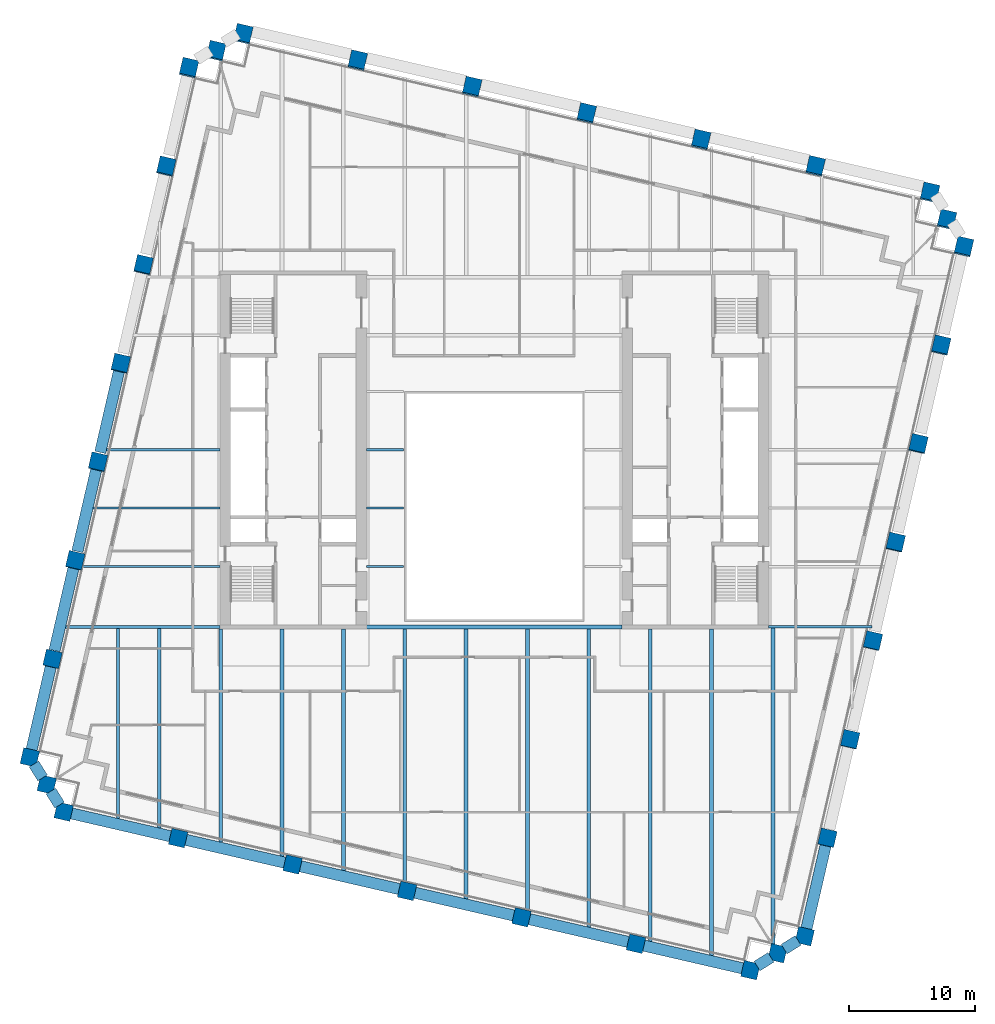
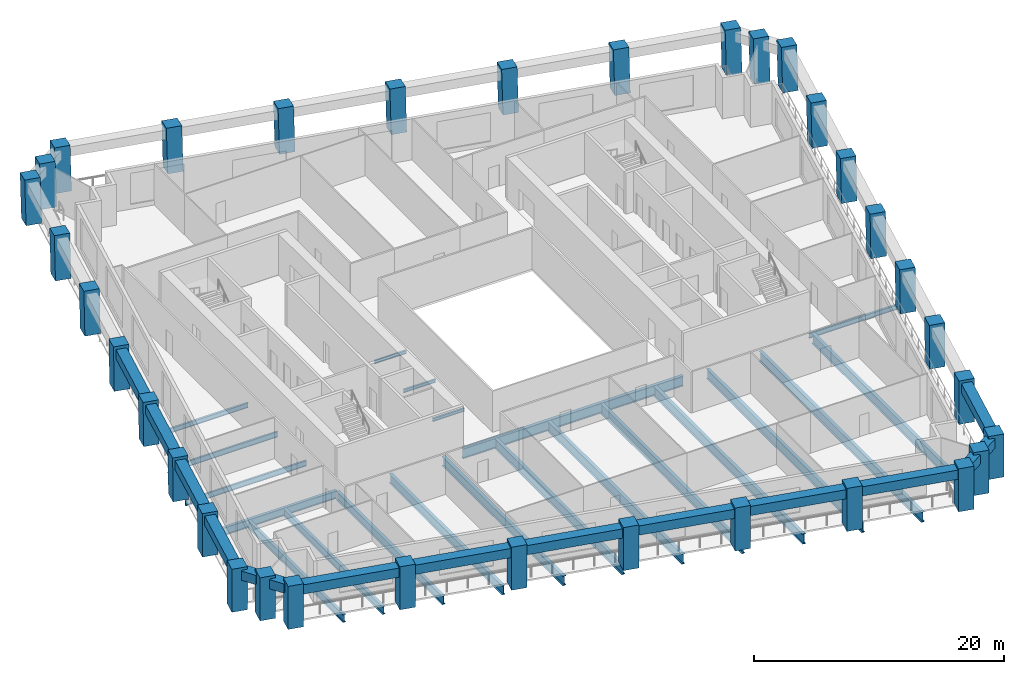
# One storey, part 1 of 10: 36 beams, 34 columns.
"""IFC4 building model written with IfcOpenShell, lengths in metres."""

from ifc_helpers import new_model, si_unit, direction, frame, origin, origin_2d, place, context, subcontext, project, spatial, rectangle, i_section, extrude, material, material_profile, profile_set, type_object, element, save


model = new_model("IFC4")

# Units and contexts
model_context = context("Model", 3, precision=1e-05, world=origin(), true_north=direction((0.0, 1.0)))
body_context = subcontext(model_context, "Body", "Model", "MODEL_VIEW")
ifc_project = project(units=[si_unit("LENGTHUNIT", "METRE"), si_unit("AREAUNIT", "SQUARE_METRE"), si_unit("VOLUMEUNIT", "CUBIC_METRE"), si_unit("PLANEANGLEUNIT", "RADIAN"), si_unit("MASSUNIT", "GRAM", prefix="KILO")], contexts=[model_context])

# Site, building, storey
site_placement = place(None, origin())
site = spatial("IfcSite", under=ifc_project, at=site_placement, CompositionType="ELEMENT")
building_placement = place(site_placement, origin())
building = spatial("IfcBuilding", under=site, at=building_placement, Name="Ogive Exchange Tower", CompositionType="ELEMENT")
storey_placement = place(building_placement, frame((0.0, 0.0, 118.199951171875)))
storey = spatial("IfcBuildingStorey", under=building, at=storey_placement, Name="L25", CompositionType="ELEMENT", Elevation=118.199951171875)

# Columns
ifc_material_1 = material(Name="Precast concrete C70/85 (limestone faced)", Category="masonry")
ifc_material_profile_1 = material_profile(ifc_material_1, rectangle(XDim=1.300048828125, YDim=1.300048828125, at=origin_2d()), Name="1300 x 1300")
ifc_profile_set_1 = profile_set([ifc_material_profile_1], Name="Precast concrete C70/85 (limestone faced)")
column_type = type_object("IfcColumnType", Name="Precast exoskeleton leg 1300 x 1300 C70/85", PredefinedType="COLUMN", material=ifc_profile_set_1)
for number, where, z_axis, x_axis, name in (
    (1, (-34.281982421875, -17.298095703125, 0.0), (0.0, 0.0, 1.0), (0.974370064785, -0.224951054344, 0.0), "Exoskeleton leg 1"),
    (2, (-25.171630859375, -19.401611328125, 0.0), (0.0, 0.0, 1.0), (0.974370064785, -0.224951054344, 0.0), "Exoskeleton leg 2"),
    (3, (-16.061279296875, -21.504638671875, 0.0), (0.0, 0.0, 1.0), (0.974370064785, -0.224951054344, 0.0), "Exoskeleton leg 3"),
    (4, (-6.950927734375, -23.60791015625, 0.0), (0.0, 0.0, 1.0), (0.974370064785, -0.224951054344, 0.0), "Exoskeleton leg 4"),
    (5, (2.159423828125, -25.711181640625, 0.0), (0.0, 0.0, 1.0), (0.974370064785, -0.224951054344, 0.0), "Exoskeleton leg 5"),
    (6, (11.269775390625, -27.814697265625, 0.0), (0.0, 0.0, 1.0), (0.974370064785, -0.224951054344, 0.0), "Exoskeleton leg 6"),
    (7, (20.380126953125, -29.91796875, 0.0), (0.0, 0.0, 1.0), (0.974370064785, -0.224951054344, 0.0), "Exoskeleton leg 7"),
    (8, (24.697509765625, -27.219970703125, 0.0), (0.0, 0.0, 1.0), (0.974370064785, -0.224951054344, 0.0), "Exoskeleton leg 8"),
):
    element("IfcColumn", number, at=place(storey_placement, frame(where, z_axis=z_axis, x_axis=x_axis)), inside=storey, type_object=column_type, Name=name, PredefinedType="COLUMN", context=body_context, shape_type="SweptSolid", body=[
        extrude(rectangle(XDim=1.300048828125, YDim=1.300048828125, at=origin_2d()), origin(), (0.0, 0.0, 1.0), 4.199951171875),
    ])
column_1_placement = place(storey_placement, frame((26.506591796875, -19.384521484375, 0.0), z_axis=(0.002906224189, 0.012671137464, 0.999915494498), x_axis=(-0.974691740237, 0.22355315143, 0.0)))
element("IfcColumn", 9, at=column_1_placement, inside=storey, type_object=column_type, Name="Exoskeleton leg 9", PredefinedType="COLUMN", context=body_context, shape_type="SweptSolid", body=[
    extrude(rectangle(XDim=1.300048828125, YDim=1.300048828125, at=origin_2d()), origin(), (0.0, 0.0, 1.0), 4.2001953125),
])
column_2_placement = place(storey_placement, frame((28.315673828125, -11.549072265625, 0.0), z_axis=(0.005810983994, 0.025277780376, 0.999663576552), x_axis=(-0.974579651079, 0.224041299099, 0.0)))
element("IfcColumn", 10, at=column_2_placement, inside=storey, type_object=column_type, Name="Exoskeleton leg 10", PredefinedType="COLUMN", context=body_context, shape_type="SweptSolid", body=[
    extrude(rectangle(XDim=1.300048828125, YDim=1.300048828125, at=origin_2d()), origin(), (0.0, 0.0, 1.0), 4.201416015625),
])
column_3_placement = place(storey_placement, frame((30.12451171875, -3.713623046875, 0.0), z_axis=(0.008770884695, 0.037929719907, 0.99924191662), x_axis=(-0.974290512438, 0.225295355862, 0.0)))
element("IfcColumn", 11, at=column_3_placement, inside=storey, type_object=column_type, Name="Exoskeleton leg 11", PredefinedType="COLUMN", context=body_context, shape_type="SweptSolid", body=[
    extrude(rectangle(XDim=1.300048828125, YDim=1.300048828125, at=origin_2d()), origin(), (0.0, 0.0, 1.0), 4.203125),
])
column_4_placement = place(storey_placement, frame((31.93359375, 4.121826171875, 0.0), z_axis=(0.011668267153, 0.050562490995, 0.998652735462), x_axis=(-0.974391195695, 0.224859506699, 0.0)))
element("IfcColumn", 12, at=column_4_placement, inside=storey, type_object=column_type, Name="Exoskeleton leg 12", PredefinedType="COLUMN", context=body_context, shape_type="SweptSolid", body=[
    extrude(rectangle(XDim=1.300048828125, YDim=1.300048828125, at=origin_2d()), origin(), (0.0, 0.0, 1.0), 4.20556640625),
])
column_5_placement = place(storey_placement, frame((33.742431640625, 11.957275390625, 0.0), z_axis=(0.014559841898, 0.063111984005, 0.997900239743), x_axis=(-0.97440628778, 0.224794097641, 0.0)))
element("IfcColumn", 13, at=column_5_placement, inside=storey, type_object=column_type, Name="Exoskeleton leg 13", PredefinedType="COLUMN", context=body_context, shape_type="SweptSolid", body=[
    extrude(rectangle(XDim=1.300048828125, YDim=1.300048828125, at=origin_2d()), origin(), (0.0, 0.0, 1.0), 4.208740234375),
])
column_6_placement = place(storey_placement, frame((35.551513671875, 19.792724609375, 0.0), z_axis=(0.017444089556, 0.075687644385, 0.996978978829), x_axis=(-0.974454034257, 0.224587032398, 0.0)))
element("IfcColumn", 14, at=column_6_placement, inside=storey, type_object=column_type, Name="Exoskeleton leg 14", PredefinedType="COLUMN", context=body_context, shape_type="SweptSolid", body=[
    extrude(rectangle(XDim=1.300048828125, YDim=1.300048828125, at=origin_2d()), origin(), (0.0, 0.0, 1.0), 4.212646484375),
])
for number, where, z_axis, x_axis, name in (
    (15, (37.3603515625, 27.628173828125, 0.0), (0.020377493232, 0.0882252832, 0.995892091129), (-0.97434807649, 0.225046274885, 0.0), "Exoskeleton leg 15"),
    (16, (34.662353515625, 31.94580078125, 0.0), (0.020377493232, 0.0882252832, 0.995892091129), (-0.97434807649, 0.225046274885, 0.0), "Exoskeleton leg 16"),
    (17, (25.552001953125, 34.049072265625, 0.0), (0.020377493232, 0.0882252832, 0.995892091129), (-0.97434807649, 0.225046274885, 0.0), "Exoskeleton leg 17"),
    (18, (16.441650390625, 36.15234375, 0.0), (0.020377493232, 0.0882252832, 0.995892091129), (-0.97434807649, 0.225046274885, 0.0), "Exoskeleton leg 18"),
    (19, (7.331298828125, 38.255615234375, 0.0), (0.020377493232, 0.0882252832, 0.995892091129), (-0.97434807649, 0.225046274885, 0.0), "Exoskeleton leg 19"),
    (20, (-1.779052734375, 40.35888671875, 0.0), (0.020377493232, 0.0882252832, 0.995892091129), (-0.97434807649, 0.225046274885, 0.0), "Exoskeleton leg 20"),
    (21, (-10.889404296875, 42.462158203125, 0.0), (0.020377493232, 0.0882252832, 0.995892091129), (-0.97434807649, 0.225046274885, 0.0), "Exoskeleton leg 21"),
    (22, (-19.999755859375, 44.5654296875, 0.0), (0.020377493232, 0.0882252832, 0.995892091129), (-0.97434807649, 0.225046274885, 0.0), "Exoskeleton leg 22"),
    (23, (-24.3173828125, 41.86767578125, 0.0), (0.020377597275, 0.088167842757, 0.995897175934), (-0.97431566651, 0.225186549318, 0.0), "Exoskeleton leg 23"),
):
    element("IfcColumn", number, at=place(storey_placement, frame(where, z_axis=z_axis, x_axis=x_axis)), inside=storey, type_object=column_type, Name=name, PredefinedType="COLUMN", context=body_context, shape_type="SweptSolid", body=[
        extrude(rectangle(XDim=1.300048828125, YDim=1.300048828125, at=origin_2d()), origin(), (0.0, 0.0, 1.0), 4.21728515625),
    ])
column_7_placement = place(storey_placement, frame((-26.126220703125, 34.031982421875, 0.0), z_axis=(0.017501948819, 0.075745189095, 0.996973594493), x_axis=(-0.974328337224, 0.225131719848, 0.0)))
element("IfcColumn", 24, at=column_7_placement, inside=storey, type_object=column_type, Name="Exoskeleton leg 24", PredefinedType="COLUMN", context=body_context, shape_type="SweptSolid", body=[
    extrude(rectangle(XDim=1.300048828125, YDim=1.300048828125, at=origin_2d()), origin(), (0.0, 0.0, 1.0), 4.212646484375),
])
column_8_placement = place(storey_placement, frame((-27.935302734375, 26.19677734375, 0.0), z_axis=(0.014617836866, 0.063111930596, 0.997899395261), x_axis=(-0.974209784844, 0.225644178107, 0.0)))
element("IfcColumn", 25, at=column_8_placement, inside=storey, type_object=column_type, Name="Exoskeleton leg 25", PredefinedType="COLUMN", context=body_context, shape_type="SweptSolid", body=[
    extrude(rectangle(XDim=1.300048828125, YDim=1.300048828125, at=origin_2d()), origin(), (0.0, 0.0, 1.0), 4.208740234375),
])
column_9_placement = place(storey_placement, frame((-29.744140625, 18.361083984375, 0.0), z_axis=(0.011668267153, 0.050562490995, 0.998652735462), x_axis=(-0.974391195695, 0.224859506699, 0.0)))
element("IfcColumn", 26, at=column_9_placement, inside=storey, type_object=column_type, Name="Exoskeleton leg 26", PredefinedType="COLUMN", context=body_context, shape_type="SweptSolid", body=[
    extrude(rectangle(XDim=1.300048828125, YDim=1.300048828125, at=origin_2d()), origin(), (0.0, 0.0, 1.0), 4.20556640625),
])
column_10_placement = place(storey_placement, frame((-31.552978515625, 10.52587890625, 0.0), z_axis=(0.00871280379, 0.037929739166, 0.999242424008), x_axis=(-0.974617095667, 0.223878352757, 0.0)))
element("IfcColumn", 27, at=column_10_placement, inside=storey, type_object=column_type, Name="Exoskeleton leg 27", PredefinedType="COLUMN", context=body_context, shape_type="SweptSolid", body=[
    extrude(rectangle(XDim=1.300048828125, YDim=1.300048828125, at=origin_2d()), origin(), (0.0, 0.0, 1.0), 4.203125),
])
column_11_placement = place(storey_placement, frame((-33.362060546875, 2.690185546875, 0.0), z_axis=(0.005869083212, 0.025335844359, 0.999661767226), x_axis=(-0.974202561131, 0.225675363932, 0.0)))
element("IfcColumn", 28, at=column_11_placement, inside=storey, type_object=column_type, Name="Exoskeleton leg 28", PredefinedType="COLUMN", context=body_context, shape_type="SweptSolid", body=[
    extrude(rectangle(XDim=1.300048828125, YDim=1.300048828125, at=origin_2d()), origin(), (0.0, 0.0, 1.0), 4.201416015625),
])
column_12_placement = place(storey_placement, frame((-35.1708984375, -5.14501953125, 0.0), z_axis=(0.002906226325, 0.012613022249, 0.99991622925), x_axis=(-0.974466825284, 0.224531526563, 0.0)))
element("IfcColumn", 29, at=column_12_placement, inside=storey, type_object=column_type, Name="Exoskeleton leg 29", PredefinedType="COLUMN", context=body_context, shape_type="SweptSolid", body=[
    extrude(rectangle(XDim=1.300048828125, YDim=1.300048828125, at=origin_2d()), origin(), (0.0, 0.0, 1.0), 4.2001953125),
])
for number, where, z_axis, x_axis, name in (
    (30, (-36.97998046875, -12.980712890625, 0.0), (0.0, 0.0, 1.0), (0.974370064785, -0.224951054344, 0.0), "Exoskeleton leg 30"),
    (31, (22.538818359375, -28.569091796875, 0.0), (0.0, 0.0, 1.0), (0.974370064785, -0.224951054344, 0.0), "Exoskeleton leg 31"),
):
    element("IfcColumn", number, at=place(storey_placement, frame(where, z_axis=z_axis, x_axis=x_axis)), inside=storey, type_object=column_type, Name=name, PredefinedType="COLUMN", context=body_context, shape_type="SweptSolid", body=[
        extrude(rectangle(XDim=1.300048828125, YDim=1.300048828125, at=origin_2d()), origin(), (0.0, 0.0, 1.0), 4.199951171875),
    ])
for number, where, z_axis, x_axis, name in (
    (32, (36.011474609375, 29.787109375, 0.0), (0.020377597275, 0.088167842757, 0.995897175934), (-0.97431566651, 0.225186549318, 0.0), "Exoskeleton leg 32"),
    (33, (-22.158447265625, 43.216552734375, 0.0), (0.020377493232, 0.0882252832, 0.995892091129), (-0.97434807649, 0.225046274885, 0.0), "Exoskeleton leg 33"),
):
    element("IfcColumn", number, at=place(storey_placement, frame(where, z_axis=z_axis, x_axis=x_axis)), inside=storey, type_object=column_type, Name=name, PredefinedType="COLUMN", context=body_context, shape_type="SweptSolid", body=[
        extrude(rectangle(XDim=1.300048828125, YDim=1.300048828125, at=origin_2d()), origin(), (0.0, 0.0, 1.0), 4.21728515625),
    ])
column_13_placement = place(storey_placement, frame((-35.631103515625, -15.139404296875, 0.0), z_axis=(0.0, 0.0, 1.0), x_axis=(0.974370064785, -0.224951054344, 0.0)))
element("IfcColumn", 34, at=column_13_placement, inside=storey, type_object=column_type, Name="Exoskeleton leg 34", PredefinedType="COLUMN", context=body_context, shape_type="SweptSolid", body=[
    extrude(rectangle(XDim=1.300048828125, YDim=1.300048828125, at=origin_2d()), origin(), (0.0, 0.0, 1.0), 4.199951171875),
])

# Beams
ifc_material_2 = material(Name="Steel ASTM A992 Gr50", Category="steel")
ifc_material_profile_2 = material_profile(ifc_material_2, i_section(OverallWidth=0.300048828125, OverallDepth=0.969970703125, WebThickness=0.01611328125, FlangeThickness=0.02099609375, at=origin_2d()), Name="W1000x222")
ifc_profile_set_2 = profile_set([ifc_material_profile_2], Name="Steel ASTM A992 Gr50")
beam_type_1 = type_object("IfcBeamType", Name="Floor beam W1000x222", PredefinedType="JOIST", material=ifc_profile_set_2)
beam_1_placement = place(storey_placement, frame((-7.135986328125, -23.103515625, -0.68505859375), z_axis=(0.0, 1.0, 0.0), x_axis=(-1.0, 0.0, 0.0)))
element("IfcBeam", 35, at=beam_1_placement, inside=storey, type_object=beam_type_1, Name="Floor beam", PredefinedType="JOIST", context=body_context, shape_type="SweptSolid", body=[
    extrude(i_section(OverallWidth=0.300048828125, OverallDepth=0.969970703125, WebThickness=0.01611328125, FlangeThickness=0.02099609375, at=origin_2d()), origin(), (0.0, 0.0, 1.0), 20.3583984375),
])
ifc_material_profile_3 = material_profile(ifc_material_2, i_section(OverallWidth=0.300048828125, OverallDepth=0.97998046875, WebThickness=0.0166015625, FlangeThickness=0.026123046875, at=origin_2d()), Name="W1000x249")
ifc_profile_set_3 = profile_set([ifc_material_profile_3], Name="Steel ASTM A992 Gr50")
beam_type_2 = type_object("IfcBeamType", Name="Floor beam W1000x249", PredefinedType="JOIST", material=ifc_profile_set_3)
beam_2_placement = place(storey_placement, frame((-2.251708984375, -24.231201171875, -0.68994140625), z_axis=(0.0, 1.0, 0.0), x_axis=(-1.0, 0.0, 0.0)))
element("IfcBeam", 36, at=beam_2_placement, inside=storey, type_object=beam_type_2, Name="Floor beam", PredefinedType="JOIST", context=body_context, shape_type="SweptSolid", body=[
    extrude(i_section(OverallWidth=0.300048828125, OverallDepth=0.97998046875, WebThickness=0.0166015625, FlangeThickness=0.026123046875, at=origin_2d()), origin(), (0.0, 0.0, 1.0), 21.486083984375),
])
beam_3_placement = place(storey_placement, frame((2.632080078125, -25.358642578125, -0.68994140625), z_axis=(0.0, 1.0, 0.0), x_axis=(-1.0, 0.0, 0.0)))
element("IfcBeam", 37, at=beam_3_placement, inside=storey, type_object=beam_type_2, Name="Floor beam", PredefinedType="JOIST", context=body_context, shape_type="SweptSolid", body=[
    extrude(i_section(OverallWidth=0.300048828125, OverallDepth=0.97998046875, WebThickness=0.0166015625, FlangeThickness=0.026123046875, at=origin_2d()), origin(), (0.0, 0.0, 1.0), 22.613525390625),
])
beam_4_placement = place(storey_placement, frame((7.516357421875, -26.63623046875, -0.68994140625), z_axis=(0.0, 1.0, 0.0), x_axis=(-1.0, 0.0, 0.0)))
element("IfcBeam", 38, at=beam_4_placement, inside=storey, type_object=beam_type_2, Name="Floor beam", PredefinedType="JOIST", context=body_context, shape_type="SweptSolid", body=[
    extrude(i_section(OverallWidth=0.300048828125, OverallDepth=0.97998046875, WebThickness=0.0166015625, FlangeThickness=0.026123046875, at=origin_2d()), origin(), (0.0, 0.0, 1.0), 23.89111328125),
])
beam_5_placement = place(storey_placement, frame((12.400390625, -27.61376953125, -0.68994140625), z_axis=(0.0, 1.0, 0.0), x_axis=(-1.0, 0.0, 0.0)))
element("IfcBeam", 39, at=beam_5_placement, inside=storey, type_object=beam_type_2, Name="Floor beam", PredefinedType="JOIST", context=body_context, shape_type="SweptSolid", body=[
    extrude(i_section(OverallWidth=0.300048828125, OverallDepth=0.97998046875, WebThickness=0.0166015625, FlangeThickness=0.026123046875, at=origin_2d()), origin(), (0.0, 0.0, 1.0), 24.86376953125),
])
beam_6_placement = place(storey_placement, frame((17.284423828125, -28.741455078125, -0.68994140625), z_axis=(0.0, 1.0, 0.0), x_axis=(-1.0, 0.0, 0.0)))
element("IfcBeam", 40, at=beam_6_placement, inside=storey, type_object=beam_type_2, Name="Floor beam", PredefinedType="JOIST", context=body_context, shape_type="SweptSolid", body=[
    extrude(i_section(OverallWidth=0.300048828125, OverallDepth=0.97998046875, WebThickness=0.0166015625, FlangeThickness=0.026123046875, at=origin_2d()), origin(), (0.0, 0.0, 1.0), 25.991455078125),
])
beam_7_placement = place(storey_placement, frame((22.16845703125, -28.021484375, -0.68994140625), z_axis=(0.0, 1.0, 0.0), x_axis=(-1.0, 0.0, 0.0)))
element("IfcBeam", 41, at=beam_7_placement, inside=storey, type_object=beam_type_2, Name="Floor beam", PredefinedType="JOIST", context=body_context, shape_type="SweptSolid", body=[
    extrude(i_section(OverallWidth=0.300048828125, OverallDepth=0.97998046875, WebThickness=0.0166015625, FlangeThickness=0.026123046875, at=origin_2d()), origin(), (0.0, 0.0, 1.0), 25.33056640625),
])
ifc_material_profile_4 = material_profile(ifc_material_2, i_section(OverallWidth=0.1650390625, OverallDepth=0.31005859375, WebThickness=0.005859375, FlangeThickness=0.009765625, at=origin_2d()), Name="W310x38.7")
ifc_profile_set_4 = profile_set([ifc_material_profile_4], Name="Steel ASTM A992 Gr50")
beam_type_3 = type_object("IfcBeamType", Name="Floor beam W310x38.7", PredefinedType="JOIST", material=ifc_profile_set_4)
for number, where, z_axis, x_axis, name in (
    (42, (-10.169921875, 2.208740234375, -0.35498046875), (1.0, 0.0, 0.0), (0.0, 1.0, 0.0), "Floor beam"),
    (43, (-10.169921875, 6.857421875, -0.35498046875), (1.0, 0.0, 0.0), (0.0, 1.0, 0.0), "Floor beam"),
    (44, (-10.169921875, 11.50634765625, -0.35498046875), (1.0, 0.0, 0.0), (0.0, 1.0, 0.0), "Floor beam"),
):
    element("IfcBeam", number, at=place(storey_placement, frame(where, z_axis=z_axis, x_axis=x_axis)), inside=storey, type_object=beam_type_3, Name=name, PredefinedType="JOIST", context=body_context, shape_type="SweptSolid", body=[
        extrude(i_section(OverallWidth=0.1650390625, OverallDepth=0.31005859375, WebThickness=0.005859375, FlangeThickness=0.009765625, at=origin_2d()), origin(), (0.0, 0.0, 1.0), 2.949951171875),
    ])
ifc_material_profile_5 = material_profile(ifc_material_2, i_section(OverallWidth=0.19091796875, OverallDepth=0.45703125, WebThickness=0.009033203125, FlangeThickness=0.014404296875, at=origin_2d()), Name="W460x74")
ifc_profile_set_5 = profile_set([ifc_material_profile_5], Name="Steel ASTM A992 Gr50")
beam_type_4 = type_object("IfcBeamType", Name="Floor beam W460x74", PredefinedType="JOIST", material=ifc_profile_set_5)
beam_8_placement = place(storey_placement, frame((-30.864990234375, 11.50634765625, -0.428466796875), z_axis=(1.0, 0.0, 0.0), x_axis=(0.0, 1.0, 0.0)))
element("IfcBeam", 45, at=beam_8_placement, inside=storey, type_object=beam_type_4, Name="Floor beam", PredefinedType="JOIST", context=body_context, shape_type="SweptSolid", body=[
    extrude(i_section(OverallWidth=0.19091796875, OverallDepth=0.45703125, WebThickness=0.009033203125, FlangeThickness=0.014404296875, at=origin_2d()), origin(), (0.0, 0.0, 1.0), 9.034912109375),
])
ifc_material_profile_6 = material_profile(ifc_material_2, i_section(OverallWidth=0.1669921875, OverallDepth=0.535888671875, WebThickness=0.01025390625, FlangeThickness=0.0166015625, at=origin_2d()), Name="W530x85")
ifc_profile_set_6 = profile_set([ifc_material_profile_6], Name="Steel ASTM A992 Gr50")
beam_type_5 = type_object("IfcBeamType", Name="Floor beam W530x85", PredefinedType="JOIST", material=ifc_profile_set_6)
beam_9_placement = place(storey_placement, frame((-33.011474609375, 2.208740234375, -0.468017578125), z_axis=(1.0, 0.0, 0.0), x_axis=(0.0, 1.0, 0.0)))
element("IfcBeam", 46, at=beam_9_placement, inside=storey, type_object=beam_type_5, Name="Floor beam", PredefinedType="JOIST", context=body_context, shape_type="SweptSolid", body=[
    extrude(i_section(OverallWidth=0.1669921875, OverallDepth=0.535888671875, WebThickness=0.01025390625, FlangeThickness=0.0166015625, at=origin_2d()), origin(), (0.0, 0.0, 1.0), 11.181396484375),
])
beam_10_placement = place(storey_placement, frame((-31.938232421875, 6.857421875, -0.468017578125), z_axis=(1.0, 0.0, 0.0), x_axis=(0.0, 1.0, 0.0)))
element("IfcBeam", 47, at=beam_10_placement, inside=storey, type_object=beam_type_5, Name="Floor beam", PredefinedType="JOIST", context=body_context, shape_type="SweptSolid", body=[
    extrude(i_section(OverallWidth=0.1669921875, OverallDepth=0.535888671875, WebThickness=0.01025390625, FlangeThickness=0.0166015625, at=origin_2d()), origin(), (0.0, 0.0, 1.0), 10.108154296875),
])
ifc_material_profile_7 = material_profile(ifc_material_2, i_section(OverallWidth=0.26708984375, OverallDepth=0.75390625, WebThickness=0.01318359375, FlangeThickness=0.01708984375, at=origin_2d()), Name="W760x147")
ifc_profile_set_7 = profile_set([ifc_material_profile_7], Name="Steel ASTM A992 Gr50")
beam_type_6 = type_object("IfcBeamType", Name="Floor beam W760x147", PredefinedType="JOIST", material=ifc_profile_set_7)
beam_11_placement = place(storey_placement, frame((-29.956298828125, -17.985107421875, -0.576904296875), z_axis=(0.0, 1.0, 0.0), x_axis=(-1.0, 0.0, 0.0)))
element("IfcBeam", 48, at=beam_11_placement, inside=storey, type_object=beam_type_6, Name="Floor beam", PredefinedType="JOIST", context=body_context, shape_type="SweptSolid", body=[
    extrude(i_section(OverallWidth=0.26708984375, OverallDepth=0.75390625, WebThickness=0.01318359375, FlangeThickness=0.01708984375, at=origin_2d()), origin(), (0.0, 0.0, 1.0), 15.256591796875),
])
ifc_material_profile_8 = material_profile(ifc_material_2, i_section(OverallWidth=0.26708984375, OverallDepth=0.761962890625, WebThickness=0.014404296875, FlangeThickness=0.021484375, at=origin_2d()), Name="W760x173")
ifc_profile_set_8 = profile_set([ifc_material_profile_8], Name="Steel ASTM A992 Gr50")
beam_type_7 = type_object("IfcBeamType", Name="Floor beam W760x173", PredefinedType="JOIST", material=ifc_profile_set_8)
beam_12_placement = place(storey_placement, frame((-26.672119140625, -18.59326171875, -0.5810546875), z_axis=(0.0, 1.0, 0.0), x_axis=(-1.0, 0.0, 0.0)))
element("IfcBeam", 49, at=beam_12_placement, inside=storey, type_object=beam_type_7, Name="Floor beam", PredefinedType="JOIST", context=body_context, shape_type="SweptSolid", body=[
    extrude(i_section(OverallWidth=0.26708984375, OverallDepth=0.761962890625, WebThickness=0.014404296875, FlangeThickness=0.021484375, at=origin_2d()), origin(), (0.0, 0.0, 1.0), 15.86474609375),
])
ifc_material_profile_9 = material_profile(ifc_material_2, i_section(OverallWidth=0.2919921875, OverallDepth=0.8359375, WebThickness=0.013916015625, FlangeThickness=0.018798828125, at=origin_2d()), Name="W840x176")
ifc_profile_set_9 = profile_set([ifc_material_profile_9], Name="Steel ASTM A992 Gr50")
beam_type_8 = type_object("IfcBeamType", Name="Floor beam W840x176", PredefinedType="JOIST", material=ifc_profile_set_9)
beam_13_placement = place(storey_placement, frame((-21.7880859375, -19.720703125, -0.617919921875), z_axis=(0.0, 1.0, 0.0), x_axis=(-1.0, 0.0, 0.0)))
element("IfcBeam", 50, at=beam_13_placement, inside=storey, type_object=beam_type_8, Name="Floor beam", PredefinedType="JOIST", context=body_context, shape_type="SweptSolid", body=[
    extrude(i_section(OverallWidth=0.2919921875, OverallDepth=0.8359375, WebThickness=0.013916015625, FlangeThickness=0.018798828125, at=origin_2d()), origin(), (0.0, 0.0, 1.0), 16.970703125),
])
ifc_material_profile_10 = material_profile(ifc_material_2, i_section(OverallWidth=0.304931640625, OverallDepth=0.904052734375, WebThickness=0.01513671875, FlangeThickness=0.02001953125, at=origin_2d()), Name="W920x201")
ifc_profile_set_10 = profile_set([ifc_material_profile_10], Name="Steel ASTM A992 Gr50")
beam_type_9 = type_object("IfcBeamType", Name="Floor beam W920x201", PredefinedType="JOIST", material=ifc_profile_set_10)
beam_14_placement = place(storey_placement, frame((-16.904052734375, -20.848388671875, -0.65185546875), z_axis=(0.0, 1.0, 0.0), x_axis=(-1.0, 0.0, 0.0)))
element("IfcBeam", 51, at=beam_14_placement, inside=storey, type_object=beam_type_9, Name="Floor beam", PredefinedType="JOIST", context=body_context, shape_type="SweptSolid", body=[
    extrude(i_section(OverallWidth=0.304931640625, OverallDepth=0.904052734375, WebThickness=0.01513671875, FlangeThickness=0.02001953125, at=origin_2d()), origin(), (0.0, 0.0, 1.0), 18.098388671875),
])
ifc_material_profile_11 = material_profile(ifc_material_2, i_section(OverallWidth=0.306884765625, OverallDepth=0.927001953125, WebThickness=0.019287109375, FlangeThickness=0.031982421875, at=origin_2d()), Name="W920x289")
ifc_profile_set_11 = profile_set([ifc_material_profile_11], Name="Steel ASTM A992 Gr50")
beam_type_10 = type_object("IfcBeamType", Name="Floor beam W920x289", PredefinedType="JOIST", material=ifc_profile_set_11)
beam_15_placement = place(storey_placement, frame((-12.02001953125, -22.1259765625, -0.663330078125), z_axis=(0.0, 1.0, 0.0), x_axis=(-1.0, 0.0, 0.0)))
element("IfcBeam", 52, at=beam_15_placement, inside=storey, type_object=beam_type_10, Name="Floor beam", PredefinedType="JOIST", context=body_context, shape_type="SweptSolid", body=[
    extrude(i_section(OverallWidth=0.306884765625, OverallDepth=0.927001953125, WebThickness=0.019287109375, FlangeThickness=0.031982421875, at=origin_2d()), origin(), (0.0, 0.0, 1.0), 19.3759765625),
])
ifc_material_profile_12 = material_profile(ifc_material_2, i_section(OverallWidth=0.300048828125, OverallDepth=0.97998046875, WebThickness=0.0166015625, FlangeThickness=0.026123046875, at=origin_2d()), Name="W1000x249")
ifc_profile_set_12 = profile_set([ifc_material_profile_12], Name="Steel ASTM A992 Gr50")
beam_type_11 = type_object("IfcBeamType", Name="Girder W1000x249", PredefinedType="BEAM", material=ifc_profile_set_12)
beam_16_placement = place(storey_placement, frame((-10.169921875, -2.594970703125, -0.68994140625), z_axis=(1.0, 0.0, 0.0), x_axis=(0.0, 1.0, 0.0)))
element("IfcBeam", 53, at=beam_16_placement, inside=storey, type_object=beam_type_11, Name="Header girder", PredefinedType="BEAM", context=body_context, shape_type="SweptSolid", body=[
    extrude(i_section(OverallWidth=0.300048828125, OverallDepth=0.97998046875, WebThickness=0.0166015625, FlangeThickness=0.026123046875, at=origin_2d()), origin(), (0.0, 0.0, 1.0), 20.33984375),
])
ifc_material_profile_13 = material_profile(ifc_material_2, i_section(OverallWidth=0.19189453125, OverallDepth=0.4619140625, WebThickness=0.010498046875, FlangeThickness=0.017578125, at=origin_2d()), Name="W460x89")
ifc_profile_set_13 = profile_set([ifc_material_profile_13], Name="Steel ASTM A992 Gr50")
beam_type_12 = type_object("IfcBeamType", Name="Girder W460x89", PredefinedType="BEAM", material=ifc_profile_set_13)
beam_17_placement = place(storey_placement, frame((21.830078125, -2.594970703125, -0.430908203125), z_axis=(1.0, 0.0, 0.0), x_axis=(0.0, 1.0, 0.0)))
element("IfcBeam", 54, at=beam_17_placement, inside=storey, type_object=beam_type_12, Name="Header girder", PredefinedType="BEAM", context=body_context, shape_type="SweptSolid", body=[
    extrude(i_section(OverallWidth=0.19189453125, OverallDepth=0.4619140625, WebThickness=0.010498046875, FlangeThickness=0.017578125, at=origin_2d()), origin(), (0.0, 0.0, 1.0), 8.24072265625),
])
ifc_material_profile_14 = material_profile(ifc_material_2, i_section(OverallWidth=0.26708984375, OverallDepth=0.75390625, WebThickness=0.01318359375, FlangeThickness=0.01708984375, at=origin_2d()), Name="W760x147")
ifc_profile_set_14 = profile_set([ifc_material_profile_14], Name="Steel ASTM A992 Gr50")
beam_type_13 = type_object("IfcBeamType", Name="Girder W760x147", PredefinedType="BEAM", material=ifc_profile_set_14)
beam_18_placement = place(storey_placement, frame((-34.2705078125, -2.594970703125, -0.576904296875), z_axis=(1.0, 0.0, 0.0), x_axis=(0.0, 1.0, 0.0)))
element("IfcBeam", 55, at=beam_18_placement, inside=storey, type_object=beam_type_13, Name="Header girder", PredefinedType="BEAM", context=body_context, shape_type="SweptSolid", body=[
    extrude(i_section(OverallWidth=0.26708984375, OverallDepth=0.75390625, WebThickness=0.01318359375, FlangeThickness=0.01708984375, at=origin_2d()), origin(), (0.0, 0.0, 1.0), 12.4404296875),
])
ifc_material_profile_15 = material_profile(ifc_material_1, rectangle(XDim=0.89990234375, YDim=0.89990234375, at=origin_2d()), Name="900 x 900")
ifc_profile_set_15 = profile_set([ifc_material_profile_15], Name="Precast concrete C70/85 (limestone faced)")
beam_type_14 = type_object("IfcBeamType", Name="Precast spandrel 900 x 900 C70/85", PredefinedType="SPANDREL", material=ifc_profile_set_15)
for number, where, z_axis, x_axis, name in (
    (56, (-33.668212890625, -17.43994140625, 3.5), (0.974370337884, -0.224949871421, 0.0), (0.224949871421, 0.974370337884, 0.0), "Spandrel 1"),
    (57, (-24.557861328125, -19.543212890625, 3.5), (0.974370337884, -0.224949871421, 0.0), (0.224949871421, 0.974370337884, 0.0), "Spandrel 2"),
):
    element("IfcBeam", number, at=place(storey_placement, frame(where, z_axis=z_axis, x_axis=x_axis)), inside=storey, type_object=beam_type_14, Name=name, PredefinedType="SPANDREL", context=body_context, shape_type="SweptSolid", body=[
        extrude(rectangle(XDim=0.89990234375, YDim=0.89990234375, at=origin_2d()), origin(), (0.0, 0.0, 1.0), 8.08984375),
    ])
beam_19_placement = place(storey_placement, frame((-15.447509765625, -21.646484375, 3.5), z_axis=(0.974371864918, -0.224943256972, 0.0), x_axis=(0.224943256972, 0.974371864918, 0.0)))
element("IfcBeam", 58, at=beam_19_placement, inside=storey, type_object=beam_type_14, Name="Spandrel 3", PredefinedType="SPANDREL", context=body_context, shape_type="SweptSolid", body=[
    extrude(rectangle(XDim=0.89990234375, YDim=0.89990234375, at=origin_2d()), origin(), (0.0, 0.0, 1.0), 8.090087890625),
])
beam_20_placement = place(storey_placement, frame((-6.337158203125, -23.749755859375, 3.5), z_axis=(0.974370337884, -0.224949871421, 0.0), x_axis=(0.224949871421, 0.974370337884, 0.0)))
element("IfcBeam", 59, at=beam_20_placement, inside=storey, type_object=beam_type_14, Name="Spandrel 4", PredefinedType="SPANDREL", context=body_context, shape_type="SweptSolid", body=[
    extrude(rectangle(XDim=0.89990234375, YDim=0.89990234375, at=origin_2d()), origin(), (0.0, 0.0, 1.0), 8.08984375),
])
beam_21_placement = place(storey_placement, frame((2.773193359375, -25.85302734375, 3.5), z_axis=(0.974371864918, -0.224943256972, 0.0), x_axis=(0.224943256972, 0.974371864918, 0.0)))
element("IfcBeam", 60, at=beam_21_placement, inside=storey, type_object=beam_type_14, Name="Spandrel 5", PredefinedType="SPANDREL", context=body_context, shape_type="SweptSolid", body=[
    extrude(rectangle(XDim=0.89990234375, YDim=0.89990234375, at=origin_2d()), origin(), (0.0, 0.0, 1.0), 8.090087890625),
])
beam_22_placement = place(storey_placement, frame((11.883544921875, -27.956298828125, 3.5), z_axis=(0.974370337884, -0.224949871421, 0.0), x_axis=(0.224949871421, 0.974370337884, 0.0)))
element("IfcBeam", 61, at=beam_22_placement, inside=storey, type_object=beam_type_14, Name="Spandrel 6", PredefinedType="SPANDREL", context=body_context, shape_type="SweptSolid", body=[
    extrude(rectangle(XDim=0.89990234375, YDim=0.89990234375, at=origin_2d()), origin(), (0.0, 0.0, 1.0), 8.08984375),
])
for number, where, z_axis, x_axis, name in (
    (62, (20.9052734375, -29.58984375, 3.5), (0.848040277303, 0.529931776808, 0.0), (-0.529931776808, 0.848040277303, 0.0), "Spandrel 7"),
    (63, (23.06396484375, -28.24072265625, 3.5), (0.848092721491, 0.529847842077, 0.0), (-0.529847842077, 0.848092721491, 0.0), "Spandrel 8"),
):
    element("IfcBeam", number, at=place(storey_placement, frame(where, z_axis=z_axis, x_axis=x_axis)), inside=storey, type_object=beam_type_14, Name=name, PredefinedType="SPANDREL", context=body_context, shape_type="SweptSolid", body=[
        extrude(rectangle(XDim=0.89990234375, YDim=0.89990234375, at=origin_2d()), origin(), (0.0, 0.0, 1.0), 1.30712890625),
    ])
beam_23_placement = place(storey_placement, frame((24.83935546875, -26.606201171875, 3.5), z_axis=(0.224958620214, 0.974368318035, 0.0), x_axis=(-0.974368318035, 0.224958620214, 0.0)))
element("IfcBeam", 64, at=beam_23_placement, inside=storey, type_object=beam_type_14, Name="Spandrel 9", PredefinedType="SPANDREL", context=body_context, shape_type="SweptSolid", body=[
    extrude(rectangle(XDim=0.89990234375, YDim=0.89990234375, at=origin_2d()), origin(), (0.0, 0.0, 1.0), 6.836181640625),
])
beam_24_placement = place(storey_placement, frame((-29.8369140625, 17.9599609375, 3.5), z_axis=(-0.224924713745, -0.974376145617, 0.0), x_axis=(0.974376145617, -0.224924713745, 0.0)))
element("IfcBeam", 65, at=beam_24_placement, inside=storey, type_object=beam_type_14, Name="Spandrel 29", PredefinedType="SPANDREL", context=body_context, shape_type="SweptSolid", body=[
    extrude(rectangle(XDim=0.89990234375, YDim=0.89990234375, at=origin_2d()), origin(), (0.0, 0.0, 1.0), 6.8359375),
])
beam_25_placement = place(storey_placement, frame((-31.657958984375, 10.0712890625, 3.5), z_axis=(-0.224958620214, -0.974368318035, 0.0), x_axis=(0.974368318035, -0.224958620214, 0.0)))
element("IfcBeam", 66, at=beam_25_placement, inside=storey, type_object=beam_type_14, Name="Spandrel 30", PredefinedType="SPANDREL", context=body_context, shape_type="SweptSolid", body=[
    extrude(rectangle(XDim=0.89990234375, YDim=0.89990234375, at=origin_2d()), origin(), (0.0, 0.0, 1.0), 6.836181640625),
])
beam_26_placement = place(storey_placement, frame((-33.479248046875, 2.1826171875, 3.5), z_axis=(-0.224966448588, -0.974366510616, 0.0), x_axis=(0.974366510616, -0.224966448588, 0.0)))
element("IfcBeam", 67, at=beam_26_placement, inside=storey, type_object=beam_type_14, Name="Spandrel 31", PredefinedType="SPANDREL", context=body_context, shape_type="SweptSolid", body=[
    extrude(rectangle(XDim=0.89990234375, YDim=0.89990234375, at=origin_2d()), origin(), (0.0, 0.0, 1.0), 6.8359375),
])
beam_27_placement = place(storey_placement, frame((-35.300537109375, -5.705810546875, 3.5), z_axis=(-0.224958620214, -0.974368318035, 0.0), x_axis=(0.974368318035, -0.224958620214, 0.0)))
element("IfcBeam", 68, at=beam_27_placement, inside=storey, type_object=beam_type_14, Name="Spandrel 32", PredefinedType="SPANDREL", context=body_context, shape_type="SweptSolid", body=[
    extrude(rectangle(XDim=0.89990234375, YDim=0.89990234375, at=origin_2d()), origin(), (0.0, 0.0, 1.0), 6.836181640625),
])
for number, where, z_axis, x_axis, name in (
    (69, (-36.65185546875, -13.505615234375, 3.5), (0.529847842077, -0.848092721491, 0.0), (0.848092721491, 0.529847842077, 0.0), "Spandrel 33"),
    (70, (-35.302978515625, -15.66455078125, 3.5), (0.530066093226, -0.847956329543, 0.0), (0.847956329543, 0.530066093226, 0.0), "Spandrel 34"),
):
    element("IfcBeam", number, at=place(storey_placement, frame(where, z_axis=z_axis, x_axis=x_axis)), inside=storey, type_object=beam_type_14, Name=name, PredefinedType="SPANDREL", context=body_context, shape_type="SweptSolid", body=[
        extrude(rectangle(XDim=0.89990234375, YDim=0.89990234375, at=origin_2d()), origin(), (0.0, 0.0, 1.0), 1.30712890625),
    ])

save(model, "model.ifc")
